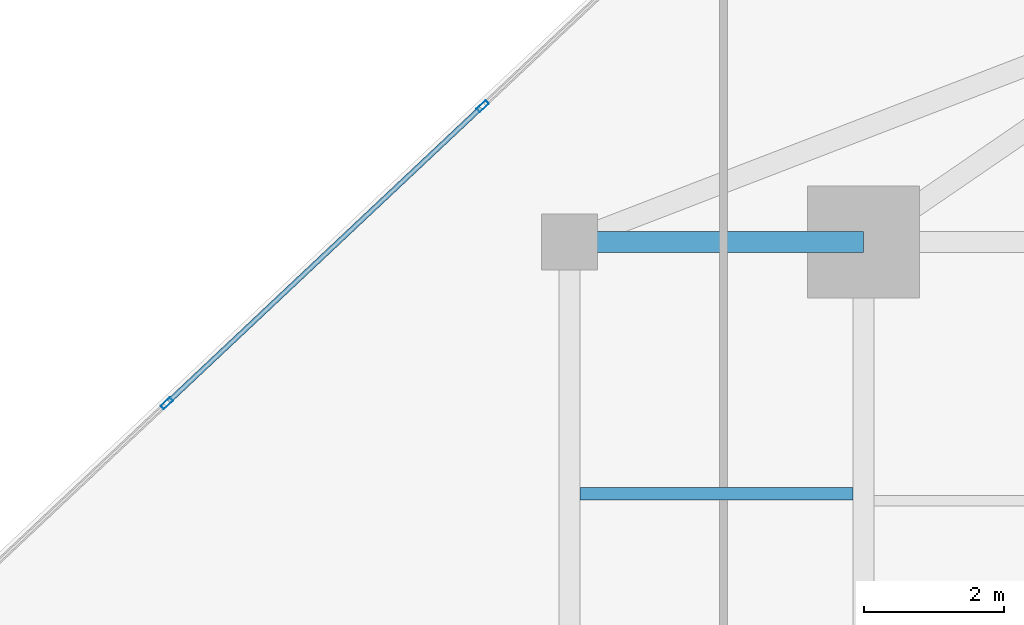
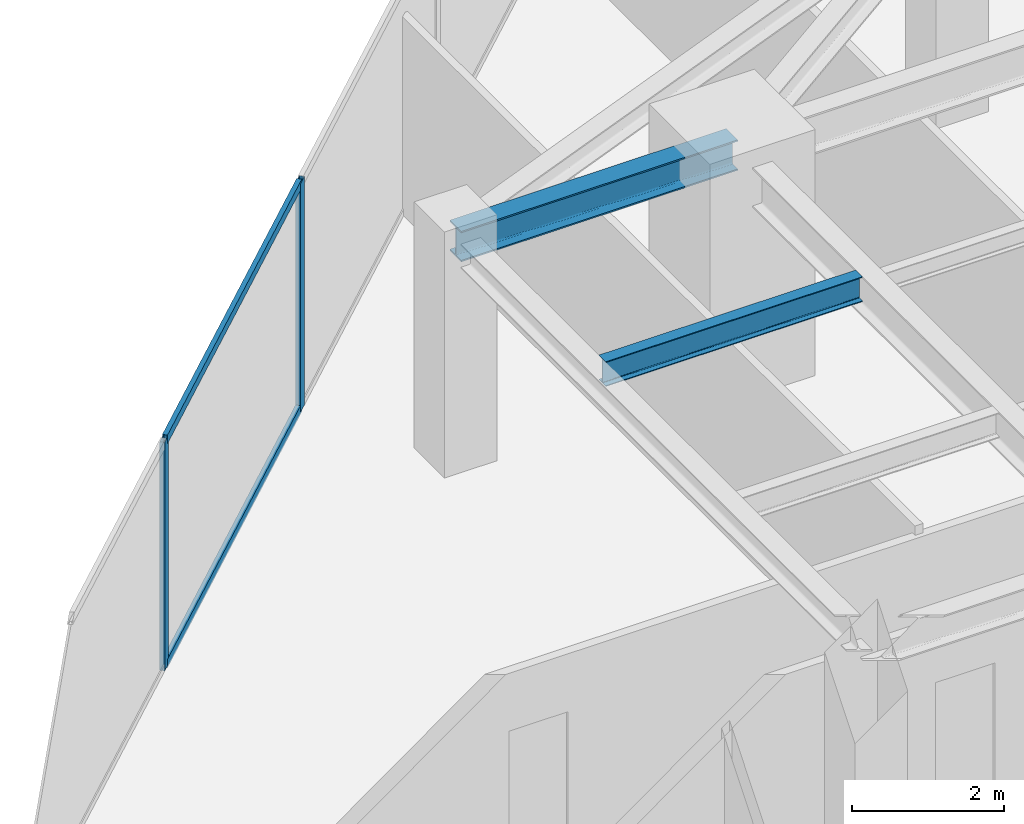
# One storey, part 13 of 24: 4 members, 2 beams, 1 element without a shape of its own.
"""IFC4 building model written with IfcOpenShell, lengths in metres."""

from ifc_helpers import new_model, si_unit, direction, frame, origin, origin_2d, place, context, subcontext, project, spatial, hollow_rectangle, i_section, extrude, source, transform, mapped, material, material_profile, profile_set, type_object, type_shapes, element, aggregate, save


model = new_model("IFC4")

# Units and contexts
model_context = context("Model", 3, precision=1e-05, world=origin(), true_north=direction((0.0, 1.0)))
body_context = subcontext(model_context, "Body", "Model", "MODEL_VIEW")
ifc_project = project(units=[si_unit("LENGTHUNIT", "METRE"), si_unit("AREAUNIT", "SQUARE_METRE"), si_unit("VOLUMEUNIT", "CUBIC_METRE"), si_unit("PLANEANGLEUNIT", "RADIAN"), si_unit("MASSUNIT", "GRAM", prefix="KILO")], contexts=[model_context])

# Site, building, storey
site_placement = place(None, origin())
site = spatial("IfcSite", under=ifc_project, at=site_placement, CompositionType="ELEMENT")
building_placement = place(site_placement, origin())
building = spatial("IfcBuilding", under=site, at=building_placement, Name="Krantzveldt Concourse Tower", CompositionType="ELEMENT")
storey_placement = place(building_placement, frame((0.0, 0.0, 242.85009765625)))
storey = spatial("IfcBuildingStorey", under=building, at=storey_placement, Name="L59", CompositionType="ELEMENT", Elevation=242.85009765625)

# Beams
ifc_material_1 = material(Name="Steel S355JR", Category="steel")
ifc_material_profile_1 = material_profile(ifc_material_1, i_section(OverallWidth=0.300048828125, OverallDepth=0.489990234375, WebThickness=0.011962890625, FlangeThickness=0.02294921875, FilletRadius=0.027099609375, at=origin_2d()), Name="Steel S355JR", Category="steel")
ifc_profile_set_1 = profile_set([ifc_material_profile_1], Name="Steel S355JR - HEA 500")
beam_type_1 = type_object("IfcBeamType", Name="BM-B-HEA500", PredefinedType="BEAM", material=ifc_profile_set_1)
shared_shape_1 = source(origin(), body_context, "Body", "SweptSolid", [
    extrude(i_section(OverallWidth=0.300048828125, OverallDepth=0.489990234375, WebThickness=0.011962890625, FlangeThickness=0.02294921875, FilletRadius=0.027099609375, at=origin_2d()), origin(), (0.0, 0.0, 1.0), 4.199951171875),
])
type_shapes(beam_type_1, [shared_shape_1])
beam_1_placement = place(storey_placement, frame((21.0, 37.5, 3.4248046875), z_axis=(1.0, 0.0, 0.0), x_axis=(0.0, 1.0, 0.0)))
element("IfcBeam", 1, at=beam_1_placement, inside=storey, type_object=beam_type_1, Name="L59 Tower Girder BR-RL3", PredefinedType="BEAM", context=body_context, shape_type="MappedRepresentation", body=[
    mapped(shared_shape_1, transform((0.0, 0.0, 0.0), x_axis=(1.0, 0.0, 0.0), y_axis=(0.0, 1.0, 0.0), z_axis=(0.0, 0.0, 1.0), scale=1.0)),
])
ifc_material_profile_2 = material_profile(ifc_material_1, i_section(OverallWidth=0.179931640625, OverallDepth=0.39990234375, WebThickness=0.008544921875, FlangeThickness=0.013427734375, FilletRadius=0.02099609375, at=origin_2d()), Name="Steel S355JR", Category="steel")
ifc_profile_set_2 = profile_set([ifc_material_profile_2], Name="Steel S355JR - IPE 400")
beam_type_2 = type_object("IfcBeamType", Name="BM-J-IPE400", PredefinedType="JOIST", material=ifc_profile_set_2)
shared_shape_2 = source(origin(), body_context, "Body", "SweptSolid", [
    extrude(i_section(OverallWidth=0.179931640625, OverallDepth=0.39990234375, WebThickness=0.008544921875, FlangeThickness=0.013427734375, FilletRadius=0.02099609375, at=origin_2d()), origin(), (0.0, 0.0, 1.0), 3.900146484375),
])
type_shapes(beam_type_2, [shared_shape_2])
beam_2_placement = place(storey_placement, frame((21.14990234375, 33.89990234375, 3.469970703125), z_axis=(1.0, 0.0, 0.0), x_axis=(0.0, 1.0, 0.0)))
element("IfcBeam", 2, at=beam_2_placement, inside=storey, type_object=beam_type_2, Name="L59 Secondary Floor Joist JW-4", PredefinedType="JOIST", context=body_context, shape_type="MappedRepresentation", body=[
    mapped(shared_shape_2, transform((0.0, 0.0, 0.0), x_axis=(1.0, 0.0, 0.0), y_axis=(0.0, 1.0, 0.0), z_axis=(0.0, 0.0, 1.0), scale=1.0)),
])

# Curtain wall, members
ifc_material_2 = material(Name="Anodised aluminium 6063-T6", Category="aluminium")
curtain_wall_type = type_object("IfcCurtainWallType", Name="CW3", PredefinedType="USERDEFINED", material=ifc_material_2)
curtain_wall_placement = place(storey_placement, origin())
curtain_wall = element("IfcCurtainWall", 3, at=curtain_wall_placement, inside=storey, type_object=curtain_wall_type, Name="CW-L59-F01", ObjectType="UNITISED CURTAIN WALL", PredefinedType="USERDEFINED")
ifc_material_profile_3 = material_profile(ifc_material_2, hollow_rectangle(XDim=0.070068359375, YDim=0.179931640625, WallThickness=0.0048828125, at=origin_2d()), Name="Anodised aluminium 6063-T6", Category="aluminium")
ifc_profile_set_3 = profile_set([ifc_material_profile_3], Name="Anodised aluminium 6063-T6 - ALU-MULL 180x70x5")
member_type_1 = type_object("IfcMemberType", Name="CW-MUL-180", PredefinedType="MULLION", material=ifc_profile_set_3)
shared_shape_3 = source(origin(), body_context, "Body", "SweptSolid", [
    extrude(hollow_rectangle(XDim=0.070068359375, YDim=0.179931640625, WallThickness=0.0048828125, at=origin_2d()), origin(), (0.0, 0.0, 1.0), 3.669921875),
])
type_shapes(member_type_1, [shared_shape_3])
member_1_placement = place(storey_placement, frame((19.757568359375, 39.44189453125, 0.0), z_axis=(0.0, 0.0, 1.0), x_axis=(0.685182945184, -0.728371012348, 0.0)))
member_1 = element("IfcMember", 4, at=member_1_placement, type_object=member_type_1, Name="CW-Z34 mullion 4", PredefinedType="MULLION", context=body_context, shape_type="MappedRepresentation", body=[
    mapped(shared_shape_3, transform((0.0, 0.0, 0.0), x_axis=(1.0, 0.0, 0.0), y_axis=(0.0, 1.0, 0.0), z_axis=(0.0, 0.0, 1.0), scale=1.0)),
])
member_2_placement = place(storey_placement, frame((15.241455078125, 35.19384765625, 0.0), z_axis=(0.0, 0.0, 1.0), x_axis=(0.685182945184, -0.728371012348, 0.0)))
member_2 = element("IfcMember", 5, at=member_2_placement, type_object=member_type_1, Name="CW-Z34 mullion 5", PredefinedType="MULLION", context=body_context, shape_type="MappedRepresentation", body=[
    mapped(shared_shape_3, transform((0.0, 0.0, 0.0), x_axis=(1.0, 0.0, 0.0), y_axis=(0.0, 1.0, 0.0), z_axis=(0.0, 0.0, 1.0), scale=1.0)),
])
ifc_material_profile_4 = material_profile(ifc_material_2, hollow_rectangle(XDim=0.070068359375, YDim=0.139892578125, WallThickness=0.0048828125, at=origin_2d()), Name="Anodised aluminium 6063-T6", Category="aluminium")
ifc_profile_set_4 = profile_set([ifc_material_profile_4], Name="Anodised aluminium 6063-T6 - ALU-TRAN 140x70x5")
member_type_2 = type_object("IfcMemberType", Name="CW-TRN-150", PredefinedType="USERDEFINED", material=ifc_profile_set_4)
shared_shape_4 = source(origin(), body_context, "Body", "SweptSolid", [
    extrude(hollow_rectangle(XDim=0.070068359375, YDim=0.139892578125, WallThickness=0.0048828125, at=origin_2d()), origin(), (0.0, 0.0, 1.0), 6.1298828125),
])
type_shapes(member_type_2, [shared_shape_4])
member_3_placement = place(storey_placement, frame((19.73193359375, 39.41796875, 0.034912109375), z_axis=(-0.72836366623, -0.685190754255, 0.0), x_axis=(0.685190754255, -0.72836366623, 0.0)))
member_3 = element("IfcMember", 6, at=member_3_placement, type_object=member_type_2, Name="CW-Z34 transom 4.1", ObjectType="TRANSOM", PredefinedType="USERDEFINED", context=body_context, shape_type="MappedRepresentation", body=[
    mapped(shared_shape_4, transform((0.0, 0.0, 0.0), x_axis=(1.0, 0.0, 0.0), y_axis=(0.0, 1.0, 0.0), z_axis=(0.0, 0.0, 1.0), scale=1.0)),
])
member_4_placement = place(storey_placement, frame((19.73193359375, 39.41796875, 3.635009765625), z_axis=(-0.72836366623, -0.685190754255, 0.0), x_axis=(0.685190754255, -0.72836366623, 0.0)))
member_4 = element("IfcMember", 7, at=member_4_placement, type_object=member_type_2, Name="CW-Z34 transom 4.2", ObjectType="TRANSOM", PredefinedType="USERDEFINED", context=body_context, shape_type="MappedRepresentation", body=[
    mapped(shared_shape_4, transform((0.0, 0.0, 0.0), x_axis=(1.0, 0.0, 0.0), y_axis=(0.0, 1.0, 0.0), z_axis=(0.0, 0.0, 1.0), scale=1.0)),
])
aggregate(curtain_wall, [member_1, member_2, member_3, member_4])

save(model, "model.ifc")
